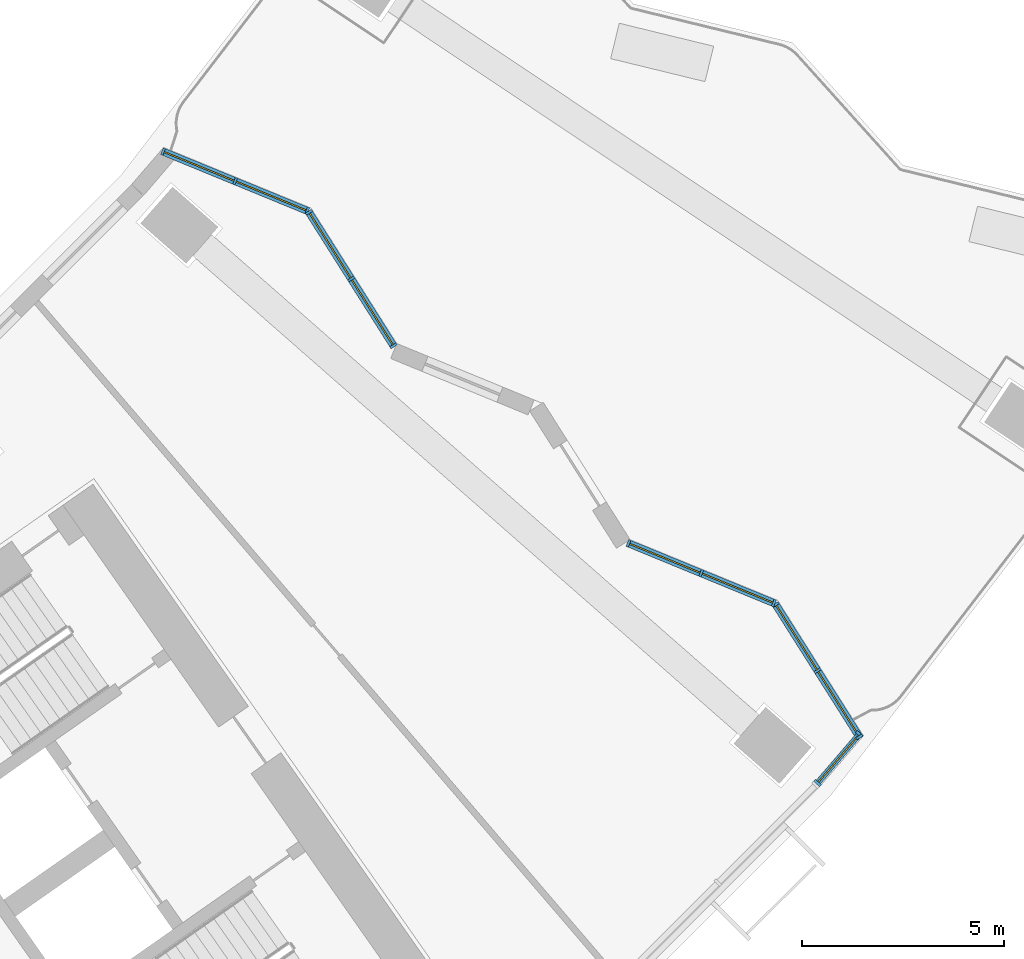
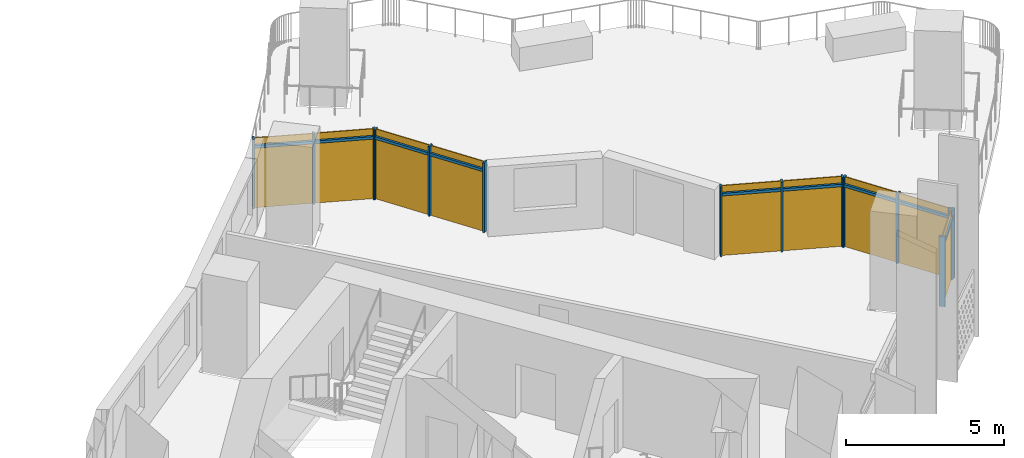
# One storey, part 23 of 33: 23 members, 5 curtain walls.
"""IFC4 building model written with IfcOpenShell, lengths in metres."""

from ifc_helpers import new_model, si_unit, direction, frame, origin, origin_2d, place, context, subcontext, project, spatial, rectangle, extrude, material, material_profile, profile_set, type_object, element, aggregate, save


model = new_model("IFC4")

# Units and contexts
model_context = context("Model", 3, precision=1e-05, world=origin(), true_north=direction((0.0, 1.0)))
body_context = subcontext(model_context, "Body", "Model", "MODEL_VIEW")
ifc_project = project(units=[si_unit("LENGTHUNIT", "METRE"), si_unit("AREAUNIT", "SQUARE_METRE"), si_unit("VOLUMEUNIT", "CUBIC_METRE"), si_unit("PLANEANGLEUNIT", "RADIAN"), si_unit("MASSUNIT", "GRAM", prefix="KILO")], contexts=[model_context])

# Member
ifc_material = material(Name="Aluminium 6063-T6 anodised", Category="aluminium")
ifc_material_profile_1 = material_profile(ifc_material, rectangle(XDim=0.179931640625, YDim=0.06005859375, at=origin_2d()))
ifc_profile_set_1 = profile_set([ifc_material_profile_1], Name="Aluminium 6063-T6 anodised")
member_type_1 = type_object("IfcMemberType", Name="Mullion 60 x 180 aluminium, garden", PredefinedType="MULLION", material=ifc_profile_set_1)
site_placement = place(None, origin())
building_placement = place(site_placement, origin())
storey_placement = place(building_placement, frame((0.0, 0.0, 94.89990234375)))
member_1_placement = place(storey_placement, frame((60.602294921875, -51.05419921875, 0.0), z_axis=(0.0, 0.0, 1.0), x_axis=(-0.845061394736, -0.534669280141, 0.0)))
member_1 = element("IfcMember", 1, at=member_1_placement, type_object=member_type_1, Name="e-cw4-L20-capE0/M00", PredefinedType="MULLION", context=body_context, shape_type="SweptSolid", body=[
    extrude(rectangle(XDim=0.179931640625, YDim=0.06005859375, at=origin_2d()), origin(), (0.0, 0.0, 1.0), 2.7001953125),
])

member_2_placement = place(storey_placement, frame((59.567626953125, -49.418701171875, 0.0), z_axis=(0.0, 0.0, 1.0), x_axis=(-0.845061394736, -0.534669280141, 0.0)))
member_2 = element("IfcMember", 2, at=member_2_placement, type_object=member_type_1, Name="e-cw4-L20-capE0/M01", PredefinedType="MULLION", context=body_context, shape_type="SweptSolid", body=[
    extrude(rectangle(XDim=0.179931640625, YDim=0.06005859375, at=origin_2d()), origin(), (0.0, 0.0, 1.0), 2.7001953125),
])

member_3_placement = place(storey_placement, frame((58.532958984375, -47.783447265625, 0.0), z_axis=(0.0, 0.0, 1.0), x_axis=(-0.845061394736, -0.534669280141, 0.0)))
member_3 = element("IfcMember", 3, at=member_3_placement, type_object=member_type_1, Name="e-cw4-L20-capE0/M02", PredefinedType="MULLION", context=body_context, shape_type="SweptSolid", body=[
    extrude(rectangle(XDim=0.179931640625, YDim=0.06005859375, at=origin_2d()), origin(), (0.0, 0.0, 1.0), 2.7001953125),
])

member_4_placement = place(storey_placement, frame((58.489013671875, -47.74658203125, 0.0), z_axis=(0.0, 0.0, 1.0), x_axis=(-0.380063486236, -0.924960402628, 0.0)))
member_4 = element("IfcMember", 4, at=member_4_placement, type_object=member_type_1, Name="e-cw4-L20-capE1/M00", PredefinedType="MULLION", context=body_context, shape_type="SweptSolid", body=[
    extrude(rectangle(XDim=0.179931640625, YDim=0.06005859375, at=origin_2d()), origin(), (0.0, 0.0, 1.0), 2.7001953125),
])

member_5_placement = place(storey_placement, frame((56.69287109375, -47.008544921875, 0.0), z_axis=(0.0, 0.0, 1.0), x_axis=(-0.380063486236, -0.924960402628, 0.0)))
member_5 = element("IfcMember", 5, at=member_5_placement, type_object=member_type_1, Name="e-cw4-L20-capE1/M01", PredefinedType="MULLION", context=body_context, shape_type="SweptSolid", body=[
    extrude(rectangle(XDim=0.179931640625, YDim=0.06005859375, at=origin_2d()), origin(), (0.0, 0.0, 1.0), 2.7001953125),
])

member_6_placement = place(storey_placement, frame((54.896484375, -46.2705078125, 0.0), z_axis=(0.0, 0.0, 1.0), x_axis=(-0.380063486236, -0.924960402628, 0.0)))
member_6 = element("IfcMember", 6, at=member_6_placement, type_object=member_type_1, Name="e-cw4-L20-capE1/M02", PredefinedType="MULLION", context=body_context, shape_type="SweptSolid", body=[
    extrude(rectangle(XDim=0.179931640625, YDim=0.06005859375, at=origin_2d()), origin(), (0.0, 0.0, 1.0), 2.7001953125),
])

member_7_placement = place(storey_placement, frame((49.0859375, -41.386474609375, 0.0), z_axis=(0.0, 0.0, 1.0), x_axis=(-0.844960743211, -0.534828329871, 0.0)))
member_7 = element("IfcMember", 7, at=member_7_placement, type_object=member_type_1, Name="e-cw4-L20-capE4/M00", PredefinedType="MULLION", context=body_context, shape_type="SweptSolid", body=[
    extrude(rectangle(XDim=0.179931640625, YDim=0.06005859375, at=origin_2d()), origin(), (0.0, 0.0, 1.0), 2.7001953125),
])

member_8_placement = place(storey_placement, frame((48.0419921875, -39.73681640625, 0.0), z_axis=(0.0, 0.0, 1.0), x_axis=(-0.844960743211, -0.534828329871, 0.0)))
member_8 = element("IfcMember", 8, at=member_8_placement, type_object=member_type_1, Name="e-cw4-L20-capE4/M01", PredefinedType="MULLION", context=body_context, shape_type="SweptSolid", body=[
    extrude(rectangle(XDim=0.179931640625, YDim=0.06005859375, at=origin_2d()), origin(), (0.0, 0.0, 1.0), 2.7001953125),
])

member_9_placement = place(storey_placement, frame((46.997802734375, -38.087158203125, 0.0), z_axis=(0.0, 0.0, 1.0), x_axis=(-0.844960743211, -0.534828329871, 0.0)))
member_9 = element("IfcMember", 9, at=member_9_placement, type_object=member_type_1, Name="e-cw4-L20-capE4/M02", PredefinedType="MULLION", context=body_context, shape_type="SweptSolid", body=[
    extrude(rectangle(XDim=0.179931640625, YDim=0.06005859375, at=origin_2d()), origin(), (0.0, 0.0, 1.0), 2.7001953125),
])

member_10_placement = place(storey_placement, frame((46.9541015625, -38.050537109375, 0.0), z_axis=(0.0, 0.0, 1.0), x_axis=(-0.3799002529, -0.925027457888, 0.0)))
member_10 = element("IfcMember", 10, at=member_10_placement, type_object=member_type_1, Name="e-cw4-L20-capE5/M00", PredefinedType="MULLION", context=body_context, shape_type="SweptSolid", body=[
    extrude(rectangle(XDim=0.179931640625, YDim=0.06005859375, at=origin_2d()), origin(), (0.0, 0.0, 1.0), 2.7001953125),
])

member_11_placement = place(storey_placement, frame((45.17333984375, -37.319091796875, 0.0), z_axis=(0.0, 0.0, 1.0), x_axis=(-0.3799002529, -0.925027457888, 0.0)))
member_11 = element("IfcMember", 11, at=member_11_placement, type_object=member_type_1, Name="e-cw4-L20-capE5/M01", PredefinedType="MULLION", context=body_context, shape_type="SweptSolid", body=[
    extrude(rectangle(XDim=0.179931640625, YDim=0.06005859375, at=origin_2d()), origin(), (0.0, 0.0, 1.0), 2.7001953125),
])

member_12_placement = place(storey_placement, frame((43.392578125, -36.587890625, 0.0), z_axis=(0.0, 0.0, 1.0), x_axis=(-0.3799002529, -0.925027457888, 0.0)))
member_12 = element("IfcMember", 12, at=member_12_placement, type_object=member_type_1, Name="e-cw4-L20-capE5/M02", PredefinedType="MULLION", context=body_context, shape_type="SweptSolid", body=[
    extrude(rectangle(XDim=0.179931640625, YDim=0.06005859375, at=origin_2d()), origin(), (0.0, 0.0, 1.0), 2.7001953125),
])

ifc_material_profile_2 = material_profile(ifc_material, rectangle(XDim=0.199951171875, YDim=0.070068359375, at=origin_2d()))
ifc_profile_set_2 = profile_set([ifc_material_profile_2], Name="Aluminium 6063-T6 anodised")
member_type_2 = type_object("IfcMemberType", Name="Mullion 70 x 200 aluminium", PredefinedType="MULLION", material=ifc_profile_set_2)
member_13_placement = place(storey_placement, frame((59.56787109375, -52.1943359375, 0.0), z_axis=(0.0, 0.0, 1.0), x_axis=(-0.758703110659, 0.651436558597, 0.0)))
member_13 = element("IfcMember", 13, at=member_13_placement, type_object=member_type_2, Name="e-cw1-L20-out16/M00", PredefinedType="MULLION", context=body_context, shape_type="SweptSolid", body=[
    extrude(rectangle(XDim=0.199951171875, YDim=0.070068359375, at=origin_2d()), origin(), (0.0, 0.0, 1.0), 2.7001953125),
])

member_14_placement = place(storey_placement, frame((60.604248046875, -50.987548828125, 0.0), z_axis=(0.0, 0.0, 1.0), x_axis=(-0.758703110659, 0.651436558597, 0.0)))
member_14 = element("IfcMember", 14, at=member_14_placement, type_object=member_type_2, Name="e-cw1-L20-out16/M01", PredefinedType="MULLION", context=body_context, shape_type="SweptSolid", body=[
    extrude(rectangle(XDim=0.199951171875, YDim=0.070068359375, at=origin_2d()), origin(), (0.0, 0.0, 1.0), 2.7001953125),
])

ifc_material_profile_3 = material_profile(ifc_material, rectangle(XDim=0.179931640625, YDim=0.10009765625, at=origin_2d()))
ifc_profile_set_3 = profile_set([ifc_material_profile_3], Name="Aluminium 6063-T6 anodised")
member_type_3 = type_object("IfcMemberType", Name="Transom 100 x 180 aluminium, garden", PredefinedType="USERDEFINED", material=ifc_profile_set_3)
member_15_placement = place(storey_placement, frame((60.586181640625, -51.02880859375, 2.400146484375), z_axis=(-0.534590476897, 0.845111248305, 0.0), x_axis=(-0.845111248305, -0.534590476897, 0.0)))
member_15 = element("IfcMember", 15, at=member_15_placement, type_object=member_type_3, Name="e-cw4-L20-capE0/T00", ObjectType="TRANSOM", PredefinedType="USERDEFINED", context=body_context, shape_type="SweptSolid", body=[
    extrude(rectangle(XDim=0.179931640625, YDim=0.10009765625, at=origin_2d()), origin(), (0.0, 0.0, 1.0), 1.875244140625),
])

member_16_placement = place(storey_placement, frame((59.551513671875, -49.3935546875, 2.400146484375), z_axis=(-0.534683455859, 0.845052425611, 0.0), x_axis=(-0.845052425611, -0.534683455859, 0.0)))
member_16 = element("IfcMember", 16, at=member_16_placement, type_object=member_type_3, Name="e-cw4-L20-capE0/T01", ObjectType="TRANSOM", PredefinedType="USERDEFINED", context=body_context, shape_type="SweptSolid", body=[
    extrude(rectangle(XDim=0.179931640625, YDim=0.10009765625, at=origin_2d()), origin(), (0.0, 0.0, 1.0), 1.875244140625),
])

member_17_placement = place(storey_placement, frame((58.46142578125, -47.7353515625, 2.400146484375), z_axis=(-0.924965270289, 0.380051639594, 0.0), x_axis=(-0.380051639594, -0.924965270289, 0.0)))
member_17 = element("IfcMember", 17, at=member_17_placement, type_object=member_type_3, Name="e-cw4-L20-capE1/T00", ObjectType="TRANSOM", PredefinedType="USERDEFINED", context=body_context, shape_type="SweptSolid", body=[
    extrude(rectangle(XDim=0.179931640625, YDim=0.10009765625, at=origin_2d()), origin(), (0.0, 0.0, 1.0), 1.882080078125),
])

member_18_placement = place(storey_placement, frame((56.6650390625, -46.9970703125, 2.400146484375), z_axis=(-0.924992134954, 0.37998625011, 0.0), x_axis=(-0.37998625011, -0.924992134954, 0.0)))
member_18 = element("IfcMember", 18, at=member_18_placement, type_object=member_type_3, Name="e-cw4-L20-capE1/T01", ObjectType="TRANSOM", PredefinedType="USERDEFINED", context=body_context, shape_type="SweptSolid", body=[
    extrude(rectangle(XDim=0.179931640625, YDim=0.10009765625, at=origin_2d()), origin(), (0.0, 0.0, 1.0), 1.8818359375),
])

member_19_placement = place(storey_placement, frame((49.070068359375, -41.361083984375, 2.400146484375), z_axis=(-0.534895535355, 0.844918200927, 0.0), x_axis=(-0.844918200927, -0.534895535355, 0.0)))
member_19 = element("IfcMember", 19, at=member_19_placement, type_object=member_type_3, Name="e-cw4-L20-capE4/T00", ObjectType="TRANSOM", PredefinedType="USERDEFINED", context=body_context, shape_type="SweptSolid", body=[
    extrude(rectangle(XDim=0.179931640625, YDim=0.10009765625, at=origin_2d()), origin(), (0.0, 0.0, 1.0), 1.892333984375),
])

member_20_placement = place(storey_placement, frame((48.02587890625, -39.71142578125, 2.400146484375), z_axis=(-0.534803423833, 0.844976507281, 0.0), x_axis=(-0.844976507281, -0.534803423833, 0.0)))
member_20 = element("IfcMember", 20, at=member_20_placement, type_object=member_type_3, Name="e-cw4-L20-capE4/T01", ObjectType="TRANSOM", PredefinedType="USERDEFINED", context=body_context, shape_type="SweptSolid", body=[
    extrude(rectangle(XDim=0.179931640625, YDim=0.10009765625, at=origin_2d()), origin(), (0.0, 0.0, 1.0), 1.892333984375),
])

member_21_placement = place(storey_placement, frame((46.92626953125, -38.0390625, 2.400146484375), z_axis=(-0.925024747596, 0.379906852183, 0.0), x_axis=(-0.379906852183, -0.925024747596, 0.0)))
member_21 = element("IfcMember", 21, at=member_21_placement, type_object=member_type_3, Name="e-cw4-L20-capE5/T00", ObjectType="TRANSOM", PredefinedType="USERDEFINED", context=body_context, shape_type="SweptSolid", body=[
    extrude(rectangle(XDim=0.179931640625, YDim=0.10009765625, at=origin_2d()), origin(), (0.0, 0.0, 1.0), 1.864990234375),
])

member_22_placement = place(storey_placement, frame((45.1455078125, -37.307861328125, 2.400146484375), z_axis=(-0.925024747596, 0.379906852183, 0.0), x_axis=(-0.379906852183, -0.925024747596, 0.0)))
member_22 = element("IfcMember", 22, at=member_22_placement, type_object=member_type_3, Name="e-cw4-L20-capE5/T01", ObjectType="TRANSOM", PredefinedType="USERDEFINED", context=body_context, shape_type="SweptSolid", body=[
    extrude(rectangle(XDim=0.179931640625, YDim=0.10009765625, at=origin_2d()), origin(), (0.0, 0.0, 1.0), 1.864990234375),
])

ifc_material_profile_4 = material_profile(ifc_material, rectangle(XDim=0.139892578125, YDim=0.1201171875, at=origin_2d()))
ifc_profile_set_4 = profile_set([ifc_material_profile_4], Name="Aluminium 6063-T6 anodised")
member_type_4 = type_object("IfcMemberType", Name="Transom 120 x 140 aluminium", PredefinedType="USERDEFINED", material=ifc_profile_set_4)
member_23_placement = place(storey_placement, frame((59.590576171875, -52.16796875, 2.400146484375), z_axis=(0.651372815954, 0.758757836623, 0.0), x_axis=(-0.758757836623, 0.651372815954, 0.0)))
member_23 = element("IfcMember", 23, at=member_23_placement, type_object=member_type_4, Name="e-cw1-L20-out16/T00", ObjectType="TRANSOM", PredefinedType="USERDEFINED", context=body_context, shape_type="SweptSolid", body=[
    extrude(rectangle(XDim=0.139892578125, YDim=0.1201171875, at=origin_2d()), origin(), (0.0, 0.0, 1.0), 1.52099609375),
])

# Site, building, storey
site = spatial("IfcSite", under=ifc_project, at=site_placement, CompositionType="ELEMENT")
building = spatial("IfcBuilding", under=site, at=building_placement, Name="Qamariyya Broadcast Tower", CompositionType="ELEMENT")
storey = spatial("IfcBuildingStorey", under=building, at=storey_placement, Name="L20", CompositionType="ELEMENT", Elevation=94.89990234375)

# Curtain wall
curtain_wall_type_1 = type_object("IfcCurtainWallType", Name="Sky garden enclosure curtain wall", PredefinedType="NOTDEFINED", material=ifc_material)
curtain_wall_1_placement = place(storey_placement, origin())
curtain_wall_1 = element("IfcCurtainWall", 24, at=curtain_wall_1_placement, inside=storey, type_object=curtain_wall_type_1, Name="e-cw4-L20-capE0", PredefinedType="NOTDEFINED", context=body_context, shape_type="SweptSolid", body=[
    extrude(rectangle(XDim=1.875244140625, YDim=0.031982421875, at=origin_2d()), frame((60.0849609375, -50.236572265625, 0.0), x_axis=(-0.534675207794, 0.845057644289, 0.0)), (0.0, 0.0, 1.0), 2.35009765625),
    extrude(rectangle(XDim=1.875244140625, YDim=0.031982421875, at=origin_2d()), frame((60.0849609375, -50.236572265625, 2.4501953125), x_axis=(-0.534675207794, 0.845057644289, 0.0)), (0.0, 0.0, 1.0), 0.25),
    extrude(rectangle(XDim=1.875244140625, YDim=0.031982421875, at=origin_2d()), frame((59.05029296875, -48.60107421875, 0.0), x_axis=(-0.534675207794, 0.845057644289, 0.0)), (0.0, 0.0, 1.0), 2.35009765625),
    extrude(rectangle(XDim=1.875244140625, YDim=0.031982421875, at=origin_2d()), frame((59.05029296875, -48.60107421875, 2.4501953125), x_axis=(-0.534675207794, 0.845057644289, 0.0)), (0.0, 0.0, 1.0), 0.25),
])

aggregate(curtain_wall_1, [member_1, member_2, member_3, member_15, member_16])

curtain_wall_2_placement = place(storey_placement, origin())
curtain_wall_2 = element("IfcCurtainWall", 25, at=curtain_wall_2_placement, inside=storey, type_object=curtain_wall_type_1, Name="e-cw4-L20-capE1", PredefinedType="NOTDEFINED", context=body_context, shape_type="SweptSolid", body=[
    extrude(rectangle(XDim=1.882080078125, YDim=0.031982421875, at=origin_2d()), frame((57.5908203125, -47.377685546875, 0.0), x_axis=(-0.924961150806, 0.380061665392, 0.0)), (0.0, 0.0, 1.0), 2.35009765625),
    extrude(rectangle(XDim=1.882080078125, YDim=0.031982421875, at=origin_2d()), frame((57.5908203125, -47.377685546875, 2.4501953125), x_axis=(-0.924961150806, 0.380061665392, 0.0)), (0.0, 0.0, 1.0), 0.25),
    extrude(rectangle(XDim=1.882080078125, YDim=0.031982421875, at=origin_2d()), frame((55.794677734375, -46.639404296875, 0.0), x_axis=(-0.924961150806, 0.380061665392, 0.0)), (0.0, 0.0, 1.0), 2.35009765625),
    extrude(rectangle(XDim=1.882080078125, YDim=0.031982421875, at=origin_2d()), frame((55.794677734375, -46.639404296875, 2.4501953125), x_axis=(-0.924961150806, 0.380061665392, 0.0)), (0.0, 0.0, 1.0), 0.25),
])

aggregate(curtain_wall_2, [member_4, member_5, member_6, member_17, member_18])

curtain_wall_3_placement = place(storey_placement, origin())
curtain_wall_3 = element("IfcCurtainWall", 26, at=curtain_wall_3_placement, inside=storey, type_object=curtain_wall_type_1, Name="e-cw4-L20-capE4", PredefinedType="NOTDEFINED", context=body_context, shape_type="SweptSolid", body=[
    extrude(rectangle(XDim=1.892333984375, YDim=0.031982421875, at=origin_2d()), frame((48.56396484375, -40.5615234375, 0.0), x_axis=(-0.534833769506, 0.844957300102, 0.0)), (0.0, 0.0, 1.0), 2.35009765625),
    extrude(rectangle(XDim=1.892333984375, YDim=0.031982421875, at=origin_2d()), frame((48.56396484375, -40.5615234375, 2.4501953125), x_axis=(-0.534833769506, 0.844957300102, 0.0)), (0.0, 0.0, 1.0), 0.25),
    extrude(rectangle(XDim=1.892333984375, YDim=0.031982421875, at=origin_2d()), frame((47.519775390625, -38.911865234375, 0.0), x_axis=(-0.534833769506, 0.844957300102, 0.0)), (0.0, 0.0, 1.0), 2.35009765625),
    extrude(rectangle(XDim=1.892333984375, YDim=0.031982421875, at=origin_2d()), frame((47.519775390625, -38.911865234375, 2.4501953125), x_axis=(-0.534833769506, 0.844957300102, 0.0)), (0.0, 0.0, 1.0), 0.25),
])

aggregate(curtain_wall_3, [member_7, member_8, member_9, member_19, member_20])

curtain_wall_4_placement = place(storey_placement, origin())
curtain_wall_4 = element("IfcCurtainWall", 27, at=curtain_wall_4_placement, inside=storey, type_object=curtain_wall_type_1, Name="e-cw4-L20-capE5", PredefinedType="NOTDEFINED", context=body_context, shape_type="SweptSolid", body=[
    extrude(rectangle(XDim=1.864990234375, YDim=0.031982421875, at=origin_2d()), frame((46.063720703125, -37.684814453125, 0.0), x_axis=(-0.925026871779, 0.379901680026, 0.0)), (0.0, 0.0, 1.0), 2.35009765625),
    extrude(rectangle(XDim=1.864990234375, YDim=0.031982421875, at=origin_2d()), frame((46.063720703125, -37.684814453125, 2.4501953125), x_axis=(-0.925026871779, 0.379901680026, 0.0)), (0.0, 0.0, 1.0), 0.25),
    extrude(rectangle(XDim=1.864990234375, YDim=0.031982421875, at=origin_2d()), frame((44.282958984375, -36.953369140625, 0.0), x_axis=(-0.925026871779, 0.379901680026, 0.0)), (0.0, 0.0, 1.0), 2.35009765625),
    extrude(rectangle(XDim=1.864990234375, YDim=0.031982421875, at=origin_2d()), frame((44.282958984375, -36.953369140625, 2.4501953125), x_axis=(-0.925026871779, 0.379901680026, 0.0)), (0.0, 0.0, 1.0), 0.25),
])

aggregate(curtain_wall_4, [member_10, member_11, member_12, member_21, member_22])

curtain_wall_type_2 = type_object("IfcCurtainWallType", Name="Unitised curtain wall, anodised aluminium", PredefinedType="NOTDEFINED", material=ifc_material)
curtain_wall_5_placement = place(storey_placement, origin())
curtain_wall_5 = element("IfcCurtainWall", 28, at=curtain_wall_5_placement, inside=storey, type_object=curtain_wall_type_2, Name="e-cw1-L20-out16", PredefinedType="NOTDEFINED", context=body_context, shape_type="SweptSolid", body=[
    extrude(rectangle(XDim=1.520751953125, YDim=0.031982421875, at=origin_2d()), frame((60.0859375, -51.5908203125, 0.0), x_axis=(0.651493224748, 0.758654452374, 0.0)), (0.0, 0.0, 1.0), 2.340087890625),
    extrude(rectangle(XDim=1.520751953125, YDim=0.031982421875, at=origin_2d()), frame((60.0859375, -51.5908203125, 2.460205078125), x_axis=(0.651493224748, 0.758654452374, 0.0)), (0.0, 0.0, 1.0), 0.239990234375),
])

aggregate(curtain_wall_5, [member_13, member_14, member_23])

save(model, "model.ifc")
